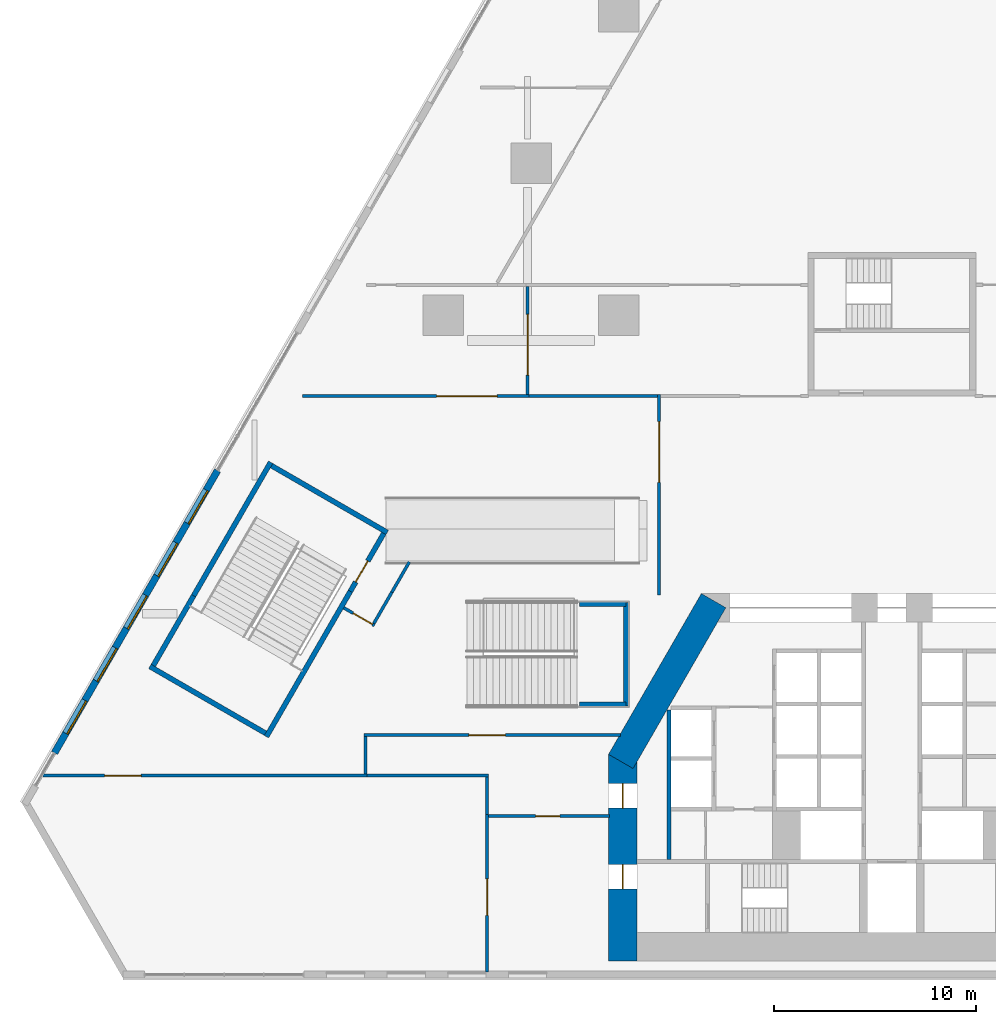
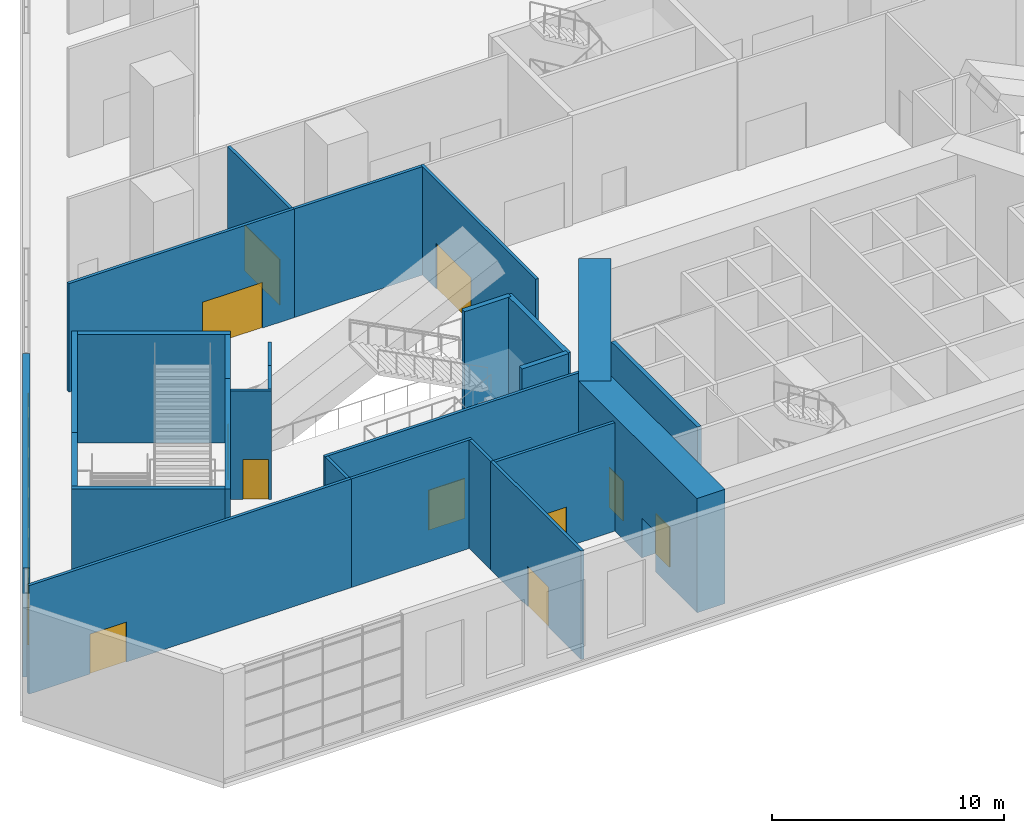
# One storey, part 14 of 27: 27 walls, 11 doors, 5 windows, 16 openings.
"""IFC4 building model written with IfcOpenShell, lengths in metres."""

from ifc_helpers import new_model, si_unit, direction, frame, frame_2d, origin, place, context, subcontext, project, spatial, rectangle, extrude, material, layer, layer_set, type_object, element, fill, save


model = new_model("IFC4")

# Units and contexts
model_context = context("Model", 3, precision=1e-05, world=origin(), true_north=direction((0.0, 1.0)))
body_context = subcontext(model_context, "Body", "Model", "MODEL_VIEW")
ifc_project = project(units=[si_unit("LENGTHUNIT", "METRE"), si_unit("AREAUNIT", "SQUARE_METRE"), si_unit("VOLUMEUNIT", "CUBIC_METRE"), si_unit("PLANEANGLEUNIT", "RADIAN"), si_unit("MASSUNIT", "GRAM", prefix="KILO")], contexts=[model_context])

# Site, building, storey
site_placement = place(None, origin())
site = spatial("IfcSite", under=ifc_project, at=site_placement, CompositionType="ELEMENT")
building_placement = place(site_placement, origin())
building = spatial("IfcBuilding", under=site, at=building_placement, Name="Fogline Exchange Tower", CompositionType="ELEMENT")
storey_placement = place(building_placement, frame((0.0, 0.0, 8.0)))
storey = spatial("IfcBuildingStorey", under=building, at=storey_placement, Name="L01", CompositionType="ELEMENT", Elevation=8.0)

# Wall
ifc_material_1 = material(Name="Concrete C40", Category="concrete")
ifc_layer_1 = layer(ifc_material_1, 0.199951171875)
ifc_layer_set_1 = layer_set([ifc_layer_1], Name="CW20")
wall_type_1 = type_object("IfcWallType", Name="CW20", PredefinedType="SOLIDWALL", material=ifc_layer_set_1)
wall_1_placement = place(storey_placement, frame((-11.0, 5.85009765625, 0.0), z_axis=(0.0, 0.0, 1.0), x_axis=(0.0, 1.0, 0.0)))
element("IfcWall", 1, at=wall_1_placement, inside=storey, type_object=wall_type_1, Name="Service room wall", PredefinedType="SOLIDWALL", context=body_context, shape_type="SweptSolid", body=[
    extrude(rectangle(XDim=7.39990234375, YDim=0.199951171875, at=frame_2d((3.699951171875, 0.0))), origin(), (0.0, 0.0, 1.0), 5.699951171875),
])

# Wall, openings, windows
ifc_material_2 = material(Name="Brick masonry", Category="masonry")
ifc_layer_2 = layer(ifc_material_2, 0.340087890625)
ifc_layer_set_2 = layer_set([ifc_layer_2], Name="FW1")
wall_type_2 = type_object("IfcWallType", Name="FW1", PredefinedType="SOLIDWALL", material=ifc_layer_set_2)
wall_2_placement = place(storey_placement, frame((-33.323974609375, 25.07958984375, 0.0), z_axis=(0.0, 0.0, 1.0), x_axis=(-0.500003967864, -0.866023112925, 0.0)))
wall_2 = element("IfcWall", 2, at=wall_2_placement, inside=storey, type_object=wall_type_2, Name="Brick wall L01 W bay 4", PredefinedType="SOLIDWALL", context=body_context, shape_type="SweptSolid", body=[
    extrude(rectangle(XDim=16.114990234375, YDim=0.340087890625, at=frame_2d((8.0576171875, 0.0))), origin(), (0.0, 0.0, 1.0), 5.699951171875),
])
opening_1_placement = place(wall_2_placement, frame((1.114990234375, 0.0, 0.89990234375)))
opening_1 = element("IfcOpeningElement", 3, at=opening_1_placement, cuts=wall_2, Name="Opening W7", PredefinedType="OPENING", context=body_context, shape_type="SweptSolid", body=[
    extrude(rectangle(XDim=1.885009765625, YDim=3.5, at=frame_2d((0.9423828125, 1.75))), frame((0.0, 0.18017578125, 0.0), z_axis=(0.0, -1.0, 0.0), x_axis=(1.0, 0.0, 0.0)), (0.0, 0.0, 1.0), 0.360107421875),
])
opening_2_placement = place(wall_2_placement, frame((4.114990234375, 0.0, 0.89990234375)))
opening_2 = element("IfcOpeningElement", 4, at=opening_2_placement, cuts=wall_2, Name="Opening W7", PredefinedType="OPENING", context=body_context, shape_type="SweptSolid", body=[
    extrude(rectangle(XDim=1.885009765625, YDim=3.5, at=frame_2d((0.9423828125, 1.75))), frame((0.0, 0.18017578125, 0.0), z_axis=(0.0, -1.0, 0.0), x_axis=(1.0, 0.0, 0.0)), (0.0, 0.0, 1.0), 0.360107421875),
])
opening_3_placement = place(wall_2_placement, frame((7.114990234375, 0.0, 0.89990234375)))
opening_3 = element("IfcOpeningElement", 5, at=opening_3_placement, cuts=wall_2, Name="Opening W7", PredefinedType="OPENING", context=body_context, shape_type="SweptSolid", body=[
    extrude(rectangle(XDim=1.885009765625, YDim=3.5, at=frame_2d((0.9423828125, 1.75))), frame((0.0, 0.18017578125, 0.0), z_axis=(0.0, -1.0, 0.0), x_axis=(1.0, 0.0, 0.0)), (0.0, 0.0, 1.0), 0.360107421875),
])
opening_4_placement = place(wall_2_placement, frame((10.114990234375, 0.0, 0.89990234375)))
opening_4 = element("IfcOpeningElement", 6, at=opening_4_placement, cuts=wall_2, Name="Opening W7", PredefinedType="OPENING", context=body_context, shape_type="SweptSolid", body=[
    extrude(rectangle(XDim=1.885009765625, YDim=3.5, at=frame_2d((0.9423828125, 1.75))), frame((0.0, 0.18017578125, 0.0), z_axis=(0.0, -1.0, 0.0), x_axis=(1.0, 0.0, 0.0)), (0.0, 0.0, 1.0), 0.360107421875),
])
opening_5_placement = place(wall_2_placement, frame((13.114990234375, 0.0, 0.89990234375)))
opening_5 = element("IfcOpeningElement", 7, at=opening_5_placement, cuts=wall_2, Name="Opening W7", PredefinedType="OPENING", context=body_context, shape_type="SweptSolid", body=[
    extrude(rectangle(XDim=1.885009765625, YDim=3.5, at=frame_2d((0.9423828125, 1.75))), frame((0.0, 0.18017578125, 0.0), z_axis=(0.0, -1.0, 0.0), x_axis=(1.0, 0.0, 0.0)), (0.0, 0.0, 1.0), 0.360107421875),
])
ifc_material_3 = material(Name="Aluminium and glass", Category="aluminium")
window_type = type_object("IfcWindowType", Name="W7", PartitioningType="SINGLE_PANEL", PredefinedType="WINDOW", material=ifc_material_3)
window_1_placement = place(opening_1_placement, origin())
window_1 = element("IfcWindow", 8, at=window_1_placement, inside=storey, type_object=window_type, Name="W7 W7", OverallHeight=3.5, OverallWidth=1.885009765625, PartitioningType="SINGLE_PANEL", PredefinedType="WINDOW", context=body_context, shape_type="SweptSolid", body=[
    extrude(rectangle(XDim=1.885009765625, YDim=3.5, at=frame_2d((0.9423828125, 1.75))), frame((0.0, 0.110107421875, 0.0), z_axis=(0.0, -1.0, 0.0), x_axis=(1.0, 0.0, 0.0)), (0.0, 0.0, 1.0), 0.06005859375),
])
fill(opening_1, window_1)
window_2_placement = place(opening_2_placement, origin())
window_2 = element("IfcWindow", 9, at=window_2_placement, inside=storey, type_object=window_type, Name="W7 W7", OverallHeight=3.5, OverallWidth=1.885009765625, PartitioningType="SINGLE_PANEL", PredefinedType="WINDOW", context=body_context, shape_type="SweptSolid", body=[
    extrude(rectangle(XDim=1.885009765625, YDim=3.5, at=frame_2d((0.9423828125, 1.75))), frame((0.0, 0.110107421875, 0.0), z_axis=(0.0, -1.0, 0.0), x_axis=(1.0, 0.0, 0.0)), (0.0, 0.0, 1.0), 0.06005859375),
])
fill(opening_2, window_2)
window_3_placement = place(opening_3_placement, origin())
window_3 = element("IfcWindow", 10, at=window_3_placement, inside=storey, type_object=window_type, Name="W7 W7", OverallHeight=3.5, OverallWidth=1.885009765625, PartitioningType="SINGLE_PANEL", PredefinedType="WINDOW", context=body_context, shape_type="SweptSolid", body=[
    extrude(rectangle(XDim=1.885009765625, YDim=3.5, at=frame_2d((0.9423828125, 1.75))), frame((0.0, 0.110107421875, 0.0), z_axis=(0.0, -1.0, 0.0), x_axis=(1.0, 0.0, 0.0)), (0.0, 0.0, 1.0), 0.06005859375),
])
fill(opening_3, window_3)
window_4_placement = place(opening_4_placement, origin())
window_4 = element("IfcWindow", 11, at=window_4_placement, inside=storey, type_object=window_type, Name="W7 W7", OverallHeight=3.5, OverallWidth=1.885009765625, PartitioningType="SINGLE_PANEL", PredefinedType="WINDOW", context=body_context, shape_type="SweptSolid", body=[
    extrude(rectangle(XDim=1.885009765625, YDim=3.5, at=frame_2d((0.9423828125, 1.75))), frame((0.0, 0.110107421875, 0.0), z_axis=(0.0, -1.0, 0.0), x_axis=(1.0, 0.0, 0.0)), (0.0, 0.0, 1.0), 0.06005859375),
])
fill(opening_4, window_4)
window_5_placement = place(opening_5_placement, origin())
window_5 = element("IfcWindow", 12, at=window_5_placement, inside=storey, type_object=window_type, Name="W7 W7", OverallHeight=3.5, OverallWidth=1.885009765625, PartitioningType="SINGLE_PANEL", PredefinedType="WINDOW", context=body_context, shape_type="SweptSolid", body=[
    extrude(rectangle(XDim=1.885009765625, YDim=3.5, at=frame_2d((0.9423828125, 1.75))), frame((0.0, 0.110107421875, 0.0), z_axis=(0.0, -1.0, 0.0), x_axis=(1.0, 0.0, 0.0)), (0.0, 0.0, 1.0), 0.06005859375),
])
fill(opening_5, window_5)

# Wall, opening, door
ifc_material_4 = material(Name="Plasterboard on steel stud", Category="steel")
ifc_layer_3 = layer(ifc_material_4, 0.14990234375)
ifc_layer_set_3 = layer_set([ifc_layer_3], Name="PP1")
wall_type_3 = type_object("IfcWallType", Name="PP1", PredefinedType="PARTITIONING", material=ifc_layer_set_3)
wall_3_placement = place(storey_placement, frame((-19.925048828125, 8.0, 0.0), z_axis=(0.0, 0.0, 1.0), x_axis=(1.0, 0.0, 0.0)))
wall_3 = element("IfcWall", 13, at=wall_3_placement, inside=storey, type_object=wall_type_3, Name="PP1 partition", PredefinedType="PARTITIONING", context=body_context, shape_type="SweptSolid", body=[
    extrude(rectangle(XDim=5.969970703125, YDim=0.14990234375, at=frame_2d((2.98486328125, 0.0))), origin(), (0.0, 0.0, 1.0), 5.699951171875),
])
opening_6_placement = place(wall_3_placement, frame((2.324951171875, 0.0, 0.0)))
opening_6 = element("IfcOpeningElement", 14, at=opening_6_placement, cuts=wall_3, Name="Opening P01-D008", PredefinedType="OPENING", context=body_context, shape_type="SweptSolid", body=[
    extrude(rectangle(XDim=1.199951171875, YDim=2.10009765625, at=frame_2d((0.60009765625, 1.050048828125))), frame((0.0, 0.0849609375, 0.0), z_axis=(0.0, -1.0, 0.0), x_axis=(1.0, 0.0, 0.0)), (0.0, 0.0, 1.0), 0.169921875),
])
ifc_material_5 = material(Name="Steel Q235B", Category="steel")
door_type_1 = type_object("IfcDoorType", Name="PD7", OperationType="SINGLE_SWING_LEFT", PredefinedType="DOOR", material=ifc_material_5)
door_1_placement = place(opening_6_placement, origin())
door_1 = element("IfcDoor", 15, at=door_1_placement, inside=storey, type_object=door_type_1, Name="P01-D008", OperationType="SINGLE_SWING_LEFT", OverallHeight=2.10009765625, OverallWidth=1.199951171875, PredefinedType="DOOR", context=body_context, shape_type="SweptSolid", body=[
    extrude(rectangle(XDim=1.199951171875, YDim=2.10009765625, at=frame_2d((0.60009765625, 1.050048828125))), frame((0.0, 0.02490234375, 0.0), z_axis=(0.0, -1.0, 0.0), x_axis=(1.0, 0.0, 0.0)), (0.0, 0.0, 1.0), 0.050048828125),
])
fill(opening_6, door_1)

wall_4_placement = place(storey_placement, frame((-20.0, 8.074951171875, 0.0), z_axis=(0.0, 0.0, 1.0), x_axis=(0.0, -1.0, 0.0)))
wall_4 = element("IfcWall", 16, at=wall_4_placement, inside=storey, type_object=wall_type_3, Name="PP1 partition", PredefinedType="PARTITIONING", context=body_context, shape_type="SweptSolid", body=[
    extrude(rectangle(XDim=7.780029296875, YDim=0.14990234375, at=frame_2d((3.89013671875, 0.0))), origin(), (0.0, 0.0, 1.0), 5.699951171875),
])
opening_7_placement = place(wall_4_placement, frame((3.175048828125, 0.0, 0.0)))
opening_7 = element("IfcOpeningElement", 17, at=opening_7_placement, cuts=wall_4, Name="Opening P01-D013", PredefinedType="OPENING", context=body_context, shape_type="SweptSolid", body=[
    extrude(rectangle(XDim=1.800048828125, YDim=2.10009765625, at=frame_2d((0.89990234375, 1.050048828125))), frame((0.0, 0.0849609375, 0.0), z_axis=(0.0, -1.0, 0.0), x_axis=(1.0, 0.0, 0.0)), (0.0, 0.0, 1.0), 0.169921875),
])
ifc_material_6 = material(Name="Timber", Category="wood")
door_type_2 = type_object("IfcDoorType", Name="PD3", OperationType="DOUBLE_DOOR_SINGLE_SWING", PredefinedType="DOOR", material=ifc_material_6)
door_2_placement = place(opening_7_placement, frame((1.800048828125, 0.0, 0.0), z_axis=(0.0, 0.0, 1.0), x_axis=(-1.0, 0.0, 0.0)))
door_2 = element("IfcDoor", 18, at=door_2_placement, inside=storey, type_object=door_type_2, Name="P01-D013", OperationType="DOUBLE_DOOR_SINGLE_SWING", OverallHeight=2.10009765625, OverallWidth=1.800048828125, PredefinedType="DOOR", context=body_context, shape_type="SweptSolid", body=[
    extrude(rectangle(XDim=1.800048828125, YDim=2.10009765625, at=frame_2d((0.89990234375, 1.050048828125))), frame((0.0, 0.02490234375, 0.0), z_axis=(0.0, -1.0, 0.0), x_axis=(1.0, 0.0, 0.0)), (0.0, 0.0, 1.0), 0.050048828125),
])
fill(opening_7, door_2)

# Wall
wall_5_placement = place(storey_placement, frame((-20.0, 9.925048828125, 0.0), z_axis=(0.0, 0.0, 1.0), x_axis=(0.0, -1.0, 0.0)))
element("IfcWall", 19, at=wall_5_placement, inside=storey, type_object=wall_type_3, Name="PP1 partition", PredefinedType="PARTITIONING", context=body_context, shape_type="SweptSolid", body=[
    extrude(rectangle(XDim=1.85009765625, YDim=0.14990234375, at=frame_2d((0.925048828125, 0.0))), origin(), (0.0, 0.0, 1.0), 5.699951171875),
])

# Wall, opening, door
wall_6_placement = place(storey_placement, frame((-41.943603515625, 10.0, 0.0), z_axis=(0.0, 0.0, 1.0), x_axis=(1.0, 0.0, 0.0)))
wall_6 = element("IfcWall", 20, at=wall_6_placement, inside=storey, type_object=wall_type_3, Name="PP1 partition", PredefinedType="PARTITIONING", context=body_context, shape_type="SweptSolid", body=[
    extrude(rectangle(XDim=16.0185546875, YDim=0.14990234375, at=frame_2d((8.00927734375, 0.0))), origin(), (0.0, 0.0, 1.0), 5.699951171875),
])
opening_8_placement = place(wall_6_placement, frame((3.043701171875, 0.0, 0.0)))
opening_8 = element("IfcOpeningElement", 21, at=opening_8_placement, cuts=wall_6, Name="Opening P01-D012", PredefinedType="OPENING", context=body_context, shape_type="SweptSolid", body=[
    extrude(rectangle(XDim=1.800048828125, YDim=2.10009765625, at=frame_2d((0.89990234375, 1.050048828125))), frame((0.0, 0.0849609375, 0.0), z_axis=(0.0, -1.0, 0.0), x_axis=(1.0, 0.0, 0.0)), (0.0, 0.0, 1.0), 0.169921875),
])
door_3_placement = place(opening_8_placement, frame((1.800048828125, 0.0, 0.0), z_axis=(0.0, 0.0, 1.0), x_axis=(-1.0, 0.0, 0.0)))
door_3 = element("IfcDoor", 22, at=door_3_placement, inside=storey, type_object=door_type_2, Name="P01-D012", OperationType="DOUBLE_DOOR_SINGLE_SWING", OverallHeight=2.10009765625, OverallWidth=1.800048828125, PredefinedType="DOOR", context=body_context, shape_type="SweptSolid", body=[
    extrude(rectangle(XDim=1.800048828125, YDim=2.10009765625, at=frame_2d((0.89990234375, 1.050048828125))), frame((0.0, 0.02490234375, 0.0), z_axis=(0.0, -1.0, 0.0), x_axis=(1.0, 0.0, 0.0)), (0.0, 0.0, 1.0), 0.050048828125),
])
fill(opening_8, door_3)

# Walls
wall_7_placement = place(storey_placement, frame((-25.925048828125, 10.0, 0.0), z_axis=(0.0, 0.0, 1.0), x_axis=(1.0, 0.0, 0.0)))
element("IfcWall", 23, at=wall_7_placement, inside=storey, type_object=wall_type_3, Name="PP1 partition", PredefinedType="PARTITIONING", context=body_context, shape_type="SweptSolid", body=[
    extrude(rectangle(XDim=6.0, YDim=0.14990234375, at=frame_2d((3.0, 0.0))), origin(), (0.0, 0.0, 1.0), 5.699951171875),
])
wall_8_placement = place(storey_placement, frame((-26.0, 10.074951171875, 0.0), z_axis=(0.0, 0.0, 1.0), x_axis=(0.0, 1.0, 0.0)))
element("IfcWall", 24, at=wall_8_placement, inside=storey, type_object=wall_type_3, Name="PP1 partition", PredefinedType="PARTITIONING", context=body_context, shape_type="SweptSolid", body=[
    extrude(rectangle(XDim=1.85009765625, YDim=0.14990234375, at=frame_2d((0.925048828125, 0.0))), origin(), (0.0, 0.0, 1.0), 5.699951171875),
])

# Wall, opening, door
wall_9_placement = place(storey_placement, frame((-26.074951171875, 12.0, 0.0), z_axis=(0.0, 0.0, 1.0), x_axis=(1.0, 0.0, 0.0)))
wall_9 = element("IfcWall", 25, at=wall_9_placement, inside=storey, type_object=wall_type_3, Name="PP1 partition", PredefinedType="PARTITIONING", context=body_context, shape_type="SweptSolid", body=[
    extrude(rectangle(XDim=12.662353515625, YDim=0.14990234375, at=frame_2d((6.3310546875, 0.0))), origin(), (0.0, 0.0, 1.0), 5.699951171875),
])
opening_9_placement = place(wall_9_placement, frame((5.175048828125, 0.0, 0.0)))
opening_9 = element("IfcOpeningElement", 26, at=opening_9_placement, cuts=wall_9, Name="Opening P01-D010", PredefinedType="OPENING", context=body_context, shape_type="SweptSolid", body=[
    extrude(rectangle(XDim=1.800048828125, YDim=2.10009765625, at=frame_2d((0.89990234375, 1.050048828125))), frame((0.0, 0.0849609375, 0.0), z_axis=(0.0, -1.0, 0.0), x_axis=(1.0, 0.0, 0.0)), (0.0, 0.0, 1.0), 0.169921875),
])
door_4_placement = place(opening_9_placement, frame((1.800048828125, 0.0, 0.0), z_axis=(0.0, 0.0, 1.0), x_axis=(-1.0, 0.0, 0.0)))
door_4 = element("IfcDoor", 27, at=door_4_placement, inside=storey, type_object=door_type_2, Name="P01-D010", OperationType="DOUBLE_DOOR_SINGLE_SWING", OverallHeight=2.10009765625, OverallWidth=1.800048828125, PredefinedType="DOOR", context=body_context, shape_type="SweptSolid", body=[
    extrude(rectangle(XDim=1.800048828125, YDim=2.10009765625, at=frame_2d((0.89990234375, 1.050048828125))), frame((0.0, 0.02490234375, 0.0), z_axis=(0.0, -1.0, 0.0), x_axis=(1.0, 0.0, 0.0)), (0.0, 0.0, 1.0), 0.050048828125),
])
fill(opening_9, door_4)

wall_10_placement = place(storey_placement, frame((-25.57080078125, 17.41943359375, 0.0), z_axis=(0.0, 0.0, 1.0), x_axis=(-0.866046247233, 0.49996389635, 0.0)))
wall_10 = element("IfcWall", 28, at=wall_10_placement, inside=storey, type_object=wall_type_3, Name="PP1 partition", PredefinedType="PARTITIONING", context=body_context, shape_type="SweptSolid", body=[
    extrude(rectangle(XDim=1.750732421875, YDim=0.14990234375, at=frame_2d((0.87548828125, 0.0))), origin(), (0.0, 0.0, 1.0), 5.699951171875),
])
opening_10_placement = place(wall_10_placement, frame((0.1201171875, 0.0, 0.0)))
opening_10 = element("IfcOpeningElement", 29, at=opening_10_placement, cuts=wall_10, Name="Opening P01-D003", PredefinedType="OPENING", context=body_context, shape_type="SweptSolid", body=[
    extrude(rectangle(XDim=1.10009765625, YDim=2.10009765625, at=frame_2d((0.550048828125, 1.050048828125))), frame((0.0, 0.0849609375, 0.0), z_axis=(0.0, -1.0, 0.0), x_axis=(1.0, 0.0, 0.0)), (0.0, 0.0, 1.0), 0.169921875),
])
door_type_3 = type_object("IfcDoorType", Name="PD5", OperationType="SINGLE_SWING_LEFT", PredefinedType="DOOR", material=ifc_material_5)
door_5_placement = place(opening_10_placement, origin())
door_5 = element("IfcDoor", 30, at=door_5_placement, inside=storey, type_object=door_type_3, Name="P01-D003", OperationType="SINGLE_SWING_LEFT", OverallHeight=2.10009765625, OverallWidth=1.10009765625, PredefinedType="DOOR", context=body_context, shape_type="SweptSolid", body=[
    extrude(rectangle(XDim=1.10009765625, YDim=2.10009765625, at=frame_2d((0.550048828125, 1.050048828125))), frame((0.0, 0.02490234375, 0.0), z_axis=(0.0, -1.0, 0.0), x_axis=(1.0, 0.0, 0.0)), (0.0, 0.0, 1.0), 0.050048828125),
])
fill(opening_10, door_5)

# Walls
wall_11_placement = place(storey_placement, frame((-24.707275390625, 19.06494140625, 0.0), z_axis=(0.0, 0.0, 1.0), x_axis=(-0.500058459303, -0.865991649659, 0.0)))
element("IfcWall", 31, at=wall_11_placement, inside=storey, type_object=wall_type_3, Name="PP1 partition", PredefinedType="PARTITIONING", context=body_context, shape_type="SweptSolid", body=[
    extrude(rectangle(XDim=1.781982421875, YDim=0.14990234375, at=frame_2d((0.89111328125, 0.0))), origin(), (0.0, 0.0, 1.0), 5.699951171875),
])
wall_12_placement = place(storey_placement, frame((-23.84130859375, 20.56494140625, 0.0), z_axis=(0.0, 0.0, 1.0), x_axis=(-0.500019299785, -0.866014260761, 0.0)))
element("IfcWall", 32, at=wall_12_placement, inside=storey, type_object=wall_type_3, Name="PP1 partition", PredefinedType="PARTITIONING", context=body_context, shape_type="SweptSolid", body=[
    extrude(rectangle(XDim=1.732421875, YDim=0.14990234375, at=frame_2d((0.8662109375, 0.0))), origin(), (0.0, 0.0, 1.0), 5.699951171875),
])

# Wall, opening, door
wall_13_placement = place(storey_placement, frame((-29.12646484375, 28.760009765625, 0.0), z_axis=(0.0, 0.0, 1.0), x_axis=(1.0, 0.0, 0.0)))
wall_13 = element("IfcWall", 33, at=wall_13_placement, inside=storey, type_object=wall_type_3, Name="PP1 partition", PredefinedType="PARTITIONING", context=body_context, shape_type="SweptSolid", body=[
    extrude(rectangle(XDim=11.201416015625, YDim=0.14990234375, at=frame_2d((5.6005859375, 0.0))), origin(), (0.0, 0.0, 1.0), 5.699951171875),
])
opening_11_placement = place(wall_13_placement, frame((6.62646484375, 0.0, 0.0)))
opening_11 = element("IfcOpeningElement", 34, at=opening_11_placement, cuts=wall_13, Name="Opening P01-D028", PredefinedType="OPENING", context=body_context, shape_type="SweptSolid", body=[
    extrude(rectangle(XDim=3.0, YDim=2.39990234375, at=frame_2d((1.5, 1.199951171875))), frame((0.0, 0.0849609375, 0.0), z_axis=(0.0, -1.0, 0.0), x_axis=(1.0, 0.0, 0.0)), (0.0, 0.0, 1.0), 0.169921875),
])
door_type_4 = type_object("IfcDoorType", Name="PD13", OperationType="DOUBLE_DOOR_SINGLE_SWING", PredefinedType="DOOR", material=ifc_material_5)
door_6_placement = place(opening_11_placement, origin())
door_6 = element("IfcDoor", 35, at=door_6_placement, inside=storey, type_object=door_type_4, Name="P01-D028", OperationType="DOUBLE_DOOR_SINGLE_SWING", OverallHeight=2.39990234375, OverallWidth=3.0, PredefinedType="DOOR", context=body_context, shape_type="SweptSolid", body=[
    extrude(rectangle(XDim=3.0, YDim=2.39990234375, at=frame_2d((1.5, 1.199951171875))), frame((0.0, 0.02490234375, 0.0), z_axis=(0.0, -1.0, 0.0), x_axis=(1.0, 0.0, 0.0)), (0.0, 0.0, 1.0), 0.050048828125),
])
fill(opening_11, door_6)

# Wall
wall_14_placement = place(storey_placement, frame((-17.925048828125, 28.760009765625, 0.0), z_axis=(0.0, 0.0, 1.0), x_axis=(1.0, 0.0, 0.0)))
element("IfcWall", 36, at=wall_14_placement, inside=storey, type_object=wall_type_3, Name="PP1 partition", PredefinedType="PARTITIONING", context=body_context, shape_type="SweptSolid", body=[
    extrude(rectangle(XDim=6.35009765625, YDim=0.14990234375, at=frame_2d((3.175048828125, 0.0))), origin(), (0.0, 0.0, 1.0), 5.699951171875),
])

# Wall, opening, door
wall_15_placement = place(storey_placement, frame((-11.5, 28.8349609375, 0.0), z_axis=(0.0, 0.0, 1.0), x_axis=(0.0, -1.0, 0.0)))
wall_15 = element("IfcWall", 37, at=wall_15_placement, inside=storey, type_object=wall_type_3, Name="PP1 partition", PredefinedType="PARTITIONING", context=body_context, shape_type="SweptSolid", body=[
    extrude(rectangle(XDim=9.909912109375, YDim=0.14990234375, at=frame_2d((4.955078125, 0.0))), origin(), (0.0, 0.0, 1.0), 5.699951171875),
])
opening_12_placement = place(wall_15_placement, frame((1.3349609375, 0.0, 0.0)))
opening_12 = element("IfcOpeningElement", 38, at=opening_12_placement, cuts=wall_15, Name="Opening P01-D018", PredefinedType="OPENING", context=body_context, shape_type="SweptSolid", body=[
    extrude(rectangle(XDim=3.0, YDim=2.39990234375, at=frame_2d((1.5, 1.199951171875))), frame((0.0, 0.0849609375, 0.0), z_axis=(0.0, -1.0, 0.0), x_axis=(1.0, 0.0, 0.0)), (0.0, 0.0, 1.0), 0.169921875),
])
door_7_placement = place(opening_12_placement, frame((3.0, 0.0, 0.0), z_axis=(0.0, 0.0, 1.0), x_axis=(-1.0, 0.0, 0.0)))
door_7 = element("IfcDoor", 39, at=door_7_placement, inside=storey, type_object=door_type_4, Name="P01-D018", OperationType="DOUBLE_DOOR_SINGLE_SWING", OverallHeight=2.39990234375, OverallWidth=3.0, PredefinedType="DOOR", context=body_context, shape_type="SweptSolid", body=[
    extrude(rectangle(XDim=3.0, YDim=2.39990234375, at=frame_2d((1.5, 1.199951171875))), frame((0.0, 0.02490234375, 0.0), z_axis=(0.0, -1.0, 0.0), x_axis=(1.0, 0.0, 0.0)), (0.0, 0.0, 1.0), 0.050048828125),
])
fill(opening_12, door_7)

wall_16_placement = place(storey_placement, frame((-18.0, 34.18505859375, 0.0), z_axis=(0.0, 0.0, 1.0), x_axis=(0.0, -1.0, 0.0)))
wall_16 = element("IfcWall", 40, at=wall_16_placement, inside=storey, type_object=wall_type_3, Name="PP1 partition", PredefinedType="PARTITIONING", context=body_context, shape_type="SweptSolid", body=[
    extrude(rectangle(XDim=5.35009765625, YDim=0.14990234375, at=frame_2d((2.675048828125, 0.0))), origin(), (0.0, 0.0, 1.0), 5.699951171875),
])
opening_13_placement = place(wall_16_placement, frame((1.385009765625, 0.0, 0.0)))
opening_13 = element("IfcOpeningElement", 41, at=opening_13_placement, cuts=wall_16, Name="Opening P01-D026", PredefinedType="OPENING", context=body_context, shape_type="SweptSolid", body=[
    extrude(rectangle(XDim=3.0, YDim=2.39990234375, at=frame_2d((1.5, 1.199951171875))), frame((0.0, 0.0849609375, 0.0), z_axis=(0.0, -1.0, 0.0), x_axis=(1.0, 0.0, 0.0)), (0.0, 0.0, 1.0), 0.169921875),
])
door_8_placement = place(opening_13_placement, frame((3.0, 0.0, 0.0), z_axis=(0.0, 0.0, 1.0), x_axis=(-1.0, 0.0, 0.0)))
door_8 = element("IfcDoor", 42, at=door_8_placement, inside=storey, type_object=door_type_4, Name="P01-D026", OperationType="DOUBLE_DOOR_SINGLE_SWING", OverallHeight=2.39990234375, OverallWidth=3.0, PredefinedType="DOOR", context=body_context, shape_type="SweptSolid", body=[
    extrude(rectangle(XDim=3.0, YDim=2.39990234375, at=frame_2d((1.5, 1.199951171875))), frame((0.0, 0.02490234375, 0.0), z_axis=(0.0, -1.0, 0.0), x_axis=(1.0, 0.0, 0.0)), (0.0, 0.0, 1.0), 0.050048828125),
])
fill(opening_13, door_8)

# Walls
ifc_layer_4 = layer(ifc_material_1, 0.25)
ifc_layer_set_4 = layer_set([ifc_layer_4], Name="PP3")
wall_type_4 = type_object("IfcWallType", Name="PP3", PredefinedType="SOLIDWALL", material=ifc_layer_set_4)
wall_17_placement = place(storey_placement, frame((-30.95263671875, 12.097412109375, 0.0), z_axis=(0.0, 0.0, 1.0), x_axis=(-0.866040211805, 0.499974350878, 0.0)))
element("IfcWall", 43, at=wall_17_placement, inside=storey, type_object=wall_type_4, Name="PP3 bearing wall", PredefinedType="SOLIDWALL", context=body_context, shape_type="SweptSolid", body=[
    extrude(rectangle(XDim=6.599853515625, YDim=0.25, at=frame_2d((3.2998046875, 0.0))), origin(), (0.0, 0.0, 1.0), 5.699951171875),
])
wall_18_placement = place(storey_placement, frame((-36.497802734375, 15.442626953125, 0.0), z_axis=(0.0, 0.0, 1.0), x_axis=(0.499989551455, 0.866031436171, 0.0)))
element("IfcWall", 44, at=wall_18_placement, inside=storey, type_object=wall_type_4, Name="PP3 bearing wall", PredefinedType="SOLIDWALL", context=body_context, shape_type="SweptSolid", body=[
    extrude(rectangle(XDim=3.982421875, YDim=0.25, at=frame_2d((1.9912109375, 0.0))), origin(), (0.0, 0.0, 1.0), 5.699951171875),
])
wall_19_placement = place(storey_placement, frame((-34.506591796875, 18.8916015625, 0.0), z_axis=(0.0, 0.0, 1.0), x_axis=(0.499958264338, 0.866049498539, 0.0)))
element("IfcWall", 45, at=wall_19_placement, inside=storey, type_object=wall_type_4, Name="PP3 bearing wall", PredefinedType="SOLIDWALL", context=body_context, shape_type="SweptSolid", body=[
    extrude(rectangle(XDim=7.617919921875, YDim=0.25, at=frame_2d((3.80908203125, 0.0))), origin(), (0.0, 0.0, 1.0), 5.699951171875),
])
wall_20_placement = place(storey_placement, frame((-26.7607421875, 19.1083984375, 0.0), z_axis=(0.0, 0.0, 1.0), x_axis=(-0.499979843709, -0.866037040711, 0.0)))
element("IfcWall", 46, at=wall_20_placement, inside=storey, type_object=wall_type_4, Name="PP3 bearing wall", PredefinedType="SOLIDWALL", context=body_context, shape_type="SweptSolid", body=[
    extrude(rectangle(XDim=8.292724609375, YDim=0.25, at=frame_2d((4.146484375, 0.0))), origin(), (0.0, 0.0, 1.0), 5.699951171875),
])

# Wall, opening, door
wall_21_placement = place(storey_placement, frame((-25.107177734375, 21.972412109375, 0.0), z_axis=(0.0, 0.0, 1.0), x_axis=(-0.500005757777, -0.866022079505, 0.0)))
wall_21 = element("IfcWall", 47, at=wall_21_placement, inside=storey, type_object=wall_type_4, Name="PP3 bearing wall", PredefinedType="SOLIDWALL", context=body_context, shape_type="SweptSolid", body=[
    extrude(rectangle(XDim=3.30712890625, YDim=0.25, at=frame_2d((1.653564453125, 0.0))), origin(), (0.0, 0.0, 1.0), 5.699951171875),
])
opening_14_placement = place(wall_21_placement, frame((1.574951171875, 0.0, 0.0)))
opening_14 = element("IfcOpeningElement", 48, at=opening_14_placement, cuts=wall_21, Name="Opening P01-D002", PredefinedType="OPENING", context=body_context, shape_type="SweptSolid", body=[
    extrude(rectangle(XDim=1.199951171875, YDim=2.10009765625, at=frame_2d((0.60009765625, 1.050048828125))), frame((0.0, 0.135009765625, 0.0), z_axis=(0.0, -1.0, 0.0), x_axis=(1.0, 0.0, 0.0)), (0.0, 0.0, 1.0), 0.27001953125),
])
door_9_placement = place(opening_14_placement, origin())
door_9 = element("IfcDoor", 49, at=door_9_placement, inside=storey, type_object=door_type_1, Name="P01-D002", OperationType="SINGLE_SWING_RIGHT", OverallHeight=2.10009765625, OverallWidth=1.199951171875, PredefinedType="DOOR", context=body_context, shape_type="SweptSolid", body=[
    extrude(rectangle(XDim=1.199951171875, YDim=2.10009765625, at=frame_2d((0.60009765625, 1.050048828125))), frame((0.0, 0.02490234375, 0.0), z_axis=(0.0, -1.0, 0.0), x_axis=(1.0, 0.0, 0.0)), (0.0, 0.0, 1.0), 0.050048828125),
])
fill(opening_14, door_9)

# Walls
wall_22_placement = place(storey_placement, frame((-30.652099609375, 25.318115234375, 0.0), z_axis=(0.0, 0.0, 1.0), x_axis=(0.866040211805, -0.499974350878, 0.0)))
element("IfcWall", 50, at=wall_22_placement, inside=storey, type_object=wall_type_4, Name="PP3 bearing wall", PredefinedType="SOLIDWALL", context=body_context, shape_type="SweptSolid", body=[
    extrude(rectangle(XDim=6.599853515625, YDim=0.25, at=frame_2d((3.2998046875, 0.0))), origin(), (0.0, 0.0, 1.0), 5.699951171875),
])
ifc_layer_5 = layer(ifc_material_1, 0.25)
ifc_layer_set_5 = layer_set([ifc_layer_5], Name="PP6")
wall_type_5 = type_object("IfcWallType", Name="PP6", PredefinedType="SOLIDWALL", material=ifc_layer_set_5)
wall_23_placement = place(storey_placement, frame((-13.125, 13.449951171875, 0.0), z_axis=(0.0, 0.0, 1.0), x_axis=(0.0, 1.0, 0.0)))
element("IfcWall", 51, at=wall_23_placement, inside=storey, type_object=wall_type_5, Name="PP6 bearing wall", PredefinedType="SOLIDWALL", context=body_context, shape_type="SweptSolid", body=[
    extrude(rectangle(XDim=5.10009765625, YDim=0.25, at=frame_2d((2.550048828125, 0.0))), origin(), (0.0, 0.0, 1.0), 5.699951171875),
])
for number, where, z_axis, x_axis, name in (
    (52, (-13.125, 13.52490234375, 0.0), (0.0, 0.0, 1.0), (-1.0, 0.0, 0.0), "PP6 bearing wall"),
    (53, (-13.125, 18.47509765625, 0.0), (0.0, 0.0, 1.0), (-1.0, 0.0, 0.0), "PP6 bearing wall"),
):
    element("IfcWall", number, at=place(storey_placement, frame(where, z_axis=z_axis, x_axis=x_axis)), inside=storey, type_object=wall_type_5, Name=name, PredefinedType="SOLIDWALL", context=body_context, shape_type="SweptSolid", body=[
        extrude(rectangle(XDim=2.31005859375, YDim=0.25, at=frame_2d((1.155029296875, 0.0))), origin(), (0.0, 0.0, 1.0), 5.699951171875),
    ])
ifc_material_7 = material(Name="Concrete C60", Category="concrete")
ifc_layer_6 = layer(ifc_material_7, 1.39990234375)
ifc_layer_set_6 = layer_set([ifc_layer_6], Name="SW01")
wall_type_6 = type_object("IfcWallType", Name="SW01", PredefinedType="SHEAR", material=ifc_layer_set_6)
wall_24_placement = place(storey_placement, frame((-8.805419921875, 18.64990234375, 0.0), z_axis=(0.0, 0.0, 1.0), x_axis=(-0.50000187635, -0.866024320471, 0.0)))
element("IfcWall", 54, at=wall_24_placement, inside=storey, type_object=wall_type_6, Name="L01-W905", PredefinedType="SHEAR", context=body_context, shape_type="SweptSolid", body=[
    extrude(rectangle(XDim=9.1767578125, YDim=1.39990234375, at=frame_2d((4.58837890625, 0.0))), origin(), (0.0, 0.0, 1.0), 6.0),
])

# Wall, openings, doors
wall_25_placement = place(storey_placement, frame((-13.300048828125, 11.052490234375, 0.0), z_axis=(0.0, 0.0, 1.0), x_axis=(0.0, -1.0, 0.0)))
wall_25 = element("IfcWall", 55, at=wall_25_placement, inside=storey, type_object=wall_type_6, Name="L01-W906", PredefinedType="SHEAR", context=body_context, shape_type="SweptSolid", body=[
    extrude(rectangle(XDim=10.202392578125, YDim=1.39990234375, at=frame_2d((5.10107421875, 0.0))), origin(), (0.0, 0.0, 1.0), 6.0),
])
opening_15_placement = place(wall_25_placement, frame((5.45263671875, 0.0, 0.0)))
opening_15 = element("IfcOpeningElement", 56, at=opening_15_placement, cuts=wall_25, Name="Opening P01-C010", PredefinedType="OPENING", context=body_context, shape_type="SweptSolid", body=[
    extrude(rectangle(XDim=1.199951171875, YDim=2.10009765625, at=frame_2d((0.60009765625, 1.050048828125))), frame((0.0, 0.7099609375, 0.0), z_axis=(0.0, -1.0, 0.0), x_axis=(1.0, 0.0, 0.0)), (0.0, 0.0, 1.0), 1.419921875),
])
opening_16_placement = place(wall_25_placement, frame((1.45263671875, 0.0, 0.0)))
opening_16 = element("IfcOpeningElement", 57, at=opening_16_placement, cuts=wall_25, Name="Opening P01-C012", PredefinedType="OPENING", context=body_context, shape_type="SweptSolid", body=[
    extrude(rectangle(XDim=1.199951171875, YDim=2.10009765625, at=frame_2d((0.60009765625, 1.050048828125))), frame((0.0, 0.7099609375, 0.0), z_axis=(0.0, -1.0, 0.0), x_axis=(1.0, 0.0, 0.0)), (0.0, 0.0, 1.0), 1.419921875),
])
ifc_material_8 = material(Name="Steel and timber fire door", Category="steel")
door_type_5 = type_object("IfcDoorType", Name="D-FR1", OperationType="SINGLE_SWING_RIGHT", PredefinedType="DOOR", material=ifc_material_8)
door_10_placement = place(opening_15_placement, origin())
door_10 = element("IfcDoor", 58, at=door_10_placement, inside=storey, type_object=door_type_5, Name="Front room door ST1", OperationType="SINGLE_SWING_LEFT", OverallHeight=2.10009765625, OverallWidth=1.199951171875, PredefinedType="DOOR", context=body_context, shape_type="SweptSolid", body=[
    extrude(rectangle(XDim=1.199951171875, YDim=2.10009765625, at=frame_2d((0.60009765625, 1.050048828125))), frame((0.0, 0.02490234375, 0.0), z_axis=(0.0, -1.0, 0.0), x_axis=(1.0, 0.0, 0.0)), (0.0, 0.0, 1.0), 0.050048828125),
])
fill(opening_15, door_10)
door_type_6 = type_object("IfcDoorType", Name="D-SV1", OperationType="SINGLE_SWING_LEFT", PredefinedType="DOOR", material=ifc_material_8)
door_11_placement = place(opening_16_placement, origin())
door_11 = element("IfcDoor", 59, at=door_11_placement, inside=storey, type_object=door_type_6, Name="Service door W", OperationType="SINGLE_SWING_LEFT", OverallHeight=2.10009765625, OverallWidth=1.199951171875, PredefinedType="DOOR", context=body_context, shape_type="SweptSolid", body=[
    extrude(rectangle(XDim=1.199951171875, YDim=2.10009765625, at=frame_2d((0.60009765625, 1.050048828125))), frame((0.0, 0.02490234375, 0.0), z_axis=(0.0, -1.0, 0.0), x_axis=(1.0, 0.0, 0.0)), (0.0, 0.0, 1.0), 0.050048828125),
])
fill(opening_16, door_11)

save(model, "model.ifc")
